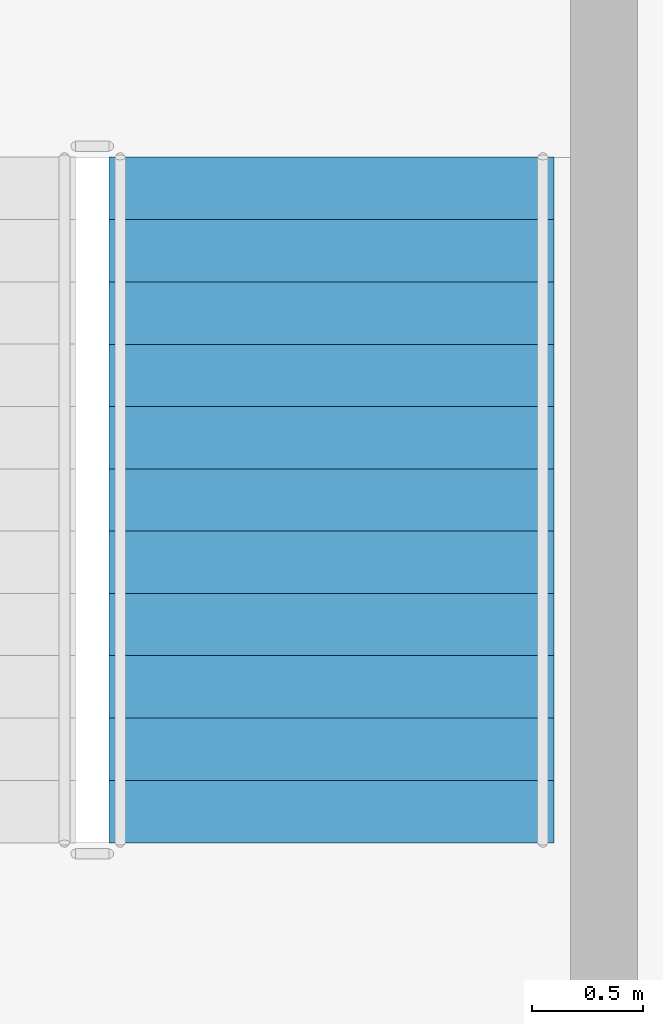
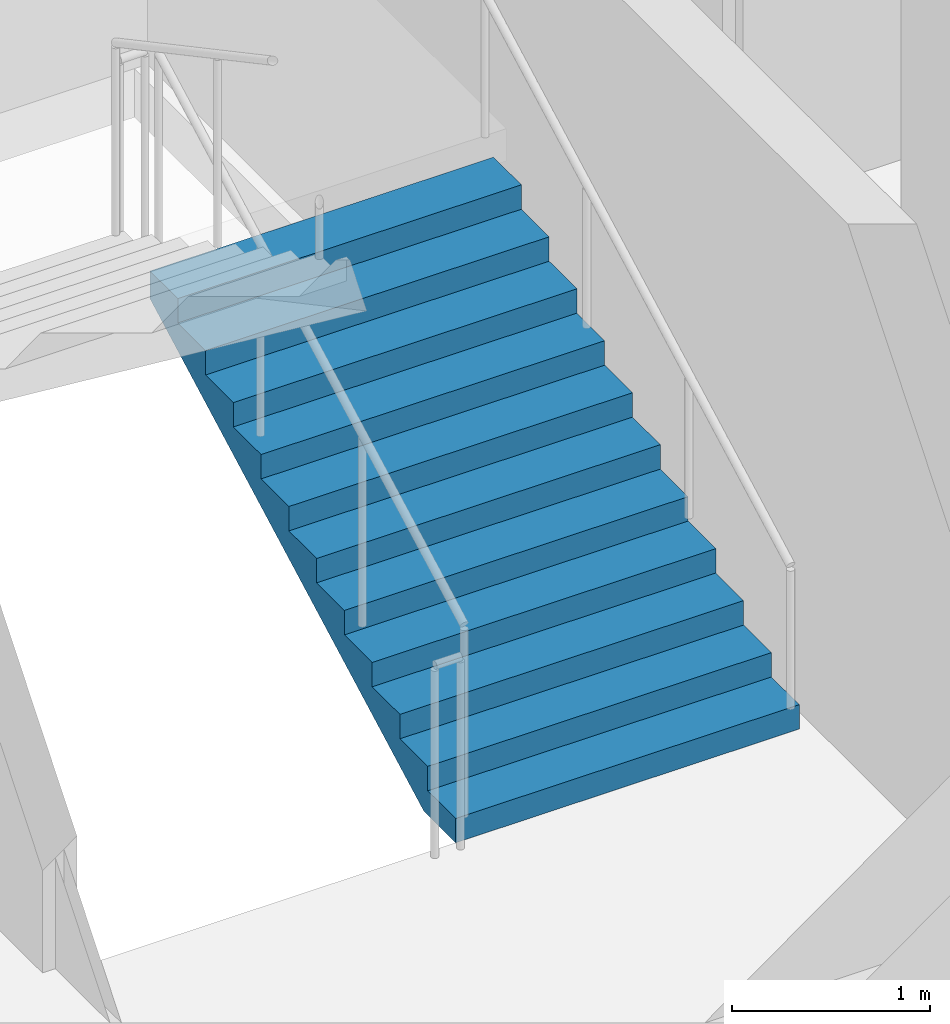
# One storey, part 11 of 14: 1 stair flight, 1 element without a shape of its own.
"""IFC4 building model written with IfcOpenShell, lengths in metres."""

from ifc_helpers import new_model, si_unit, direction, frame, origin, place, context, subcontext, project, spatial, polygons, material, type_object, element, aggregate, save


model = new_model("IFC4")

# Units and contexts
model_context = context("Model", 3, precision=1e-05, world=origin(), true_north=direction((0.0, 1.0)))
body_context = subcontext(model_context, "Body", "Model", "MODEL_VIEW")
ifc_project = project(units=[si_unit("LENGTHUNIT", "METRE"), si_unit("AREAUNIT", "SQUARE_METRE"), si_unit("VOLUMEUNIT", "CUBIC_METRE"), si_unit("PLANEANGLEUNIT", "RADIAN"), si_unit("MASSUNIT", "GRAM", prefix="KILO")], contexts=[model_context])

# Site, building, storey
site_placement = place(None, origin())
site = spatial("IfcSite", under=ifc_project, at=site_placement, CompositionType="ELEMENT")
building_placement = place(site_placement, origin())
building = spatial("IfcBuilding", under=site, at=building_placement, Name="Caravel Reach Hotel and Residences", CompositionType="ELEMENT")
storey_placement = place(building_placement, frame((0.0, 0.0, 56.39990234375)))
storey = spatial("IfcBuildingStorey", under=building, at=storey_placement, Name="L12", CompositionType="ELEMENT", Elevation=56.39990234375)

# Stair, stair flight
ifc_material_1 = material(Name="Concrete C40", Category="concrete")
stair_type = type_object("IfcStairType", Name="Core stair", PredefinedType="HALF_TURN_STAIR", material=ifc_material_1)
stair_placement = place(storey_placement, origin())
stair = element("IfcStair", 1, at=stair_placement, inside=storey, type_object=stair_type, Name="L12 Exit stair B", PredefinedType="HALF_TURN_STAIR")
ifc_material_2 = material(Name="Concrete C40", Category="concrete")
stair_flight_type = type_object("IfcStairFlightType", Name="Core stair flight", PredefinedType="STRAIGHT", material=ifc_material_2)
stair_flight_placement = place(storey_placement, frame((43.77490234375, 24.64990234375, 0.0), z_axis=(0.0, 0.0, 1.0), x_axis=(0.0, 1.0, 0.0)))
stair_flight = element("IfcStairFlight", 2, at=stair_flight_placement, type_object=stair_flight_type, Name="ST-B flight 1", NumberOfRisers=12, NumberOfTreads=11, PredefinedType="STRAIGHT", RiserHeight=0.15, TreadLength=0.28, context=body_context, shape_type="Tessellation", body=[
    polygons([(0.3174408016601862, 1.0, 0.0), (0.3174408016601862, 0.6666666666666667, 0.0), (0.3174408016601862, 0.33333333333333337, 0.0), (0.3174408016601862, 0.0, 0.0), (0.3174408016601862, -0.33333333333333326, 0.0), (0.3174408016601862, -0.6666666666666667, 0.0), (0.3174408016601862, -1.0, 0.0), (3.081, 1.0, 1.479942427682043), (3.081, 0.6666666666666667, 1.479942427682043), (3.081, 0.33333333333333337, 1.479942427682043), (3.081, 0.0, 1.479942427682043), (3.081, -0.33333333333333326, 1.479942427682043), (3.081, -0.6666666666666667, 1.479942427682043), (3.081, -1.0, 1.479942427682043), (3.081, 1.0, 1.65), (3.081, 0.6666666666666667, 1.65), (3.081, 0.33333333333333337, 1.65), (3.081, 0.0, 1.65), (3.081, -0.33333333333333326, 1.65), (3.081, -0.6666666666666667, 1.65), (3.081, -1.0, 1.65), (2.8000000000000003, 1.0, 1.65), (2.8000000000000003, 0.6666666666666667, 1.65), (2.8000000000000003, 0.33333333333333337, 1.65), (2.8000000000000003, 0.0, 1.65), (2.8000000000000003, -0.33333333333333326, 1.65), (2.8000000000000003, -0.6666666666666667, 1.65), (2.8000000000000003, -1.0, 1.65), (2.8000000000000003, 1.0, 1.5), (2.8000000000000003, 0.6666666666666667, 1.5), (2.8000000000000003, 0.33333333333333337, 1.5), (2.8000000000000003, 0.0, 1.5), (2.8000000000000003, -0.33333333333333326, 1.5), (2.8000000000000003, -0.6666666666666667, 1.5), (2.8000000000000003, -1.0, 1.5), (2.5200000000000005, 1.0, 1.5), (2.5200000000000005, 0.6666666666666667, 1.5), (2.5200000000000005, 0.33333333333333337, 1.5), (2.5200000000000005, 0.0, 1.5), (2.5200000000000005, -0.33333333333333326, 1.5), (2.5200000000000005, -0.6666666666666667, 1.5), (2.5200000000000005, -1.0, 1.5), (2.5200000000000005, 1.0, 1.3499999999999999), (2.5200000000000005, 0.6666666666666667, 1.3499999999999999), (2.5200000000000005, 0.33333333333333337, 1.3499999999999999), (2.5200000000000005, 0.0, 1.3499999999999999), (2.5200000000000005, -0.33333333333333326, 1.3499999999999999), (2.5200000000000005, -0.6666666666666667, 1.3499999999999999), (2.5200000000000005, -1.0, 1.3499999999999999), (2.24, 1.0, 1.3499999999999999), (2.24, 0.6666666666666667, 1.3499999999999999), (2.24, 0.33333333333333337, 1.3499999999999999), (2.24, 0.0, 1.3499999999999999), (2.24, -0.33333333333333326, 1.3499999999999999), (2.24, -0.6666666666666667, 1.3499999999999999), (2.24, -1.0, 1.3499999999999999), (2.24, 1.0, 1.2), (2.24, 0.6666666666666667, 1.2), (2.24, 0.33333333333333337, 1.2), (2.24, 0.0, 1.2), (2.24, -0.33333333333333326, 1.2), (2.24, -0.6666666666666667, 1.2), (2.24, -1.0, 1.2), (1.9600000000000002, 1.0, 1.2), (1.9600000000000002, 0.6666666666666667, 1.2), (1.9600000000000002, 0.33333333333333337, 1.2), (1.9600000000000002, 0.0, 1.2), (1.9600000000000002, -0.33333333333333326, 1.2), (1.9600000000000002, -0.6666666666666667, 1.2), (1.9600000000000002, -1.0, 1.2), (1.9600000000000002, 1.0, 1.05), (1.9600000000000002, 0.6666666666666667, 1.05), (1.9600000000000002, 0.33333333333333337, 1.05), (1.9600000000000002, 0.0, 1.05), (1.9600000000000002, -0.33333333333333326, 1.05), (1.9600000000000002, -0.6666666666666667, 1.05), (1.9600000000000002, -1.0, 1.05), (1.6800000000000002, 1.0, 1.05), (1.6800000000000002, 0.6666666666666667, 1.05), (1.6800000000000002, 0.33333333333333337, 1.05), (1.6800000000000002, 0.0, 1.05), (1.6800000000000002, -0.33333333333333326, 1.05), (1.6800000000000002, -0.6666666666666667, 1.05), (1.6800000000000002, -1.0, 1.05), (1.6800000000000002, 1.0, 0.8999999999999999), (1.6800000000000002, 0.6666666666666667, 0.8999999999999999), (1.6800000000000002, 0.33333333333333337, 0.8999999999999999), (1.6800000000000002, 0.0, 0.8999999999999999), (1.6800000000000002, -0.33333333333333326, 0.8999999999999999), (1.6800000000000002, -0.6666666666666667, 0.8999999999999999), (1.6800000000000002, -1.0, 0.8999999999999999), (1.4000000000000001, 1.0, 0.8999999999999999), (1.4000000000000001, 0.6666666666666667, 0.8999999999999999), (1.4000000000000001, 0.33333333333333337, 0.8999999999999999), (1.4000000000000001, 0.0, 0.8999999999999999), (1.4000000000000001, -0.33333333333333326, 0.8999999999999999), (1.4000000000000001, -0.6666666666666667, 0.8999999999999999), (1.4000000000000001, -1.0, 0.8999999999999999), (1.4000000000000001, 1.0, 0.75), (1.4000000000000001, 0.6666666666666667, 0.75), (1.4000000000000001, 0.33333333333333337, 0.75), (1.4000000000000001, 0.0, 0.75), (1.4000000000000001, -0.33333333333333326, 0.75), (1.4000000000000001, -0.6666666666666667, 0.75), (1.4000000000000001, -1.0, 0.75), (1.12, 1.0, 0.75), (1.12, 0.6666666666666667, 0.75), (1.12, 0.33333333333333337, 0.75), (1.12, 0.0, 0.75), (1.12, -0.33333333333333326, 0.75), (1.12, -0.6666666666666667, 0.75), (1.12, -1.0, 0.75), (1.12, 1.0, 0.6), (1.12, 0.6666666666666667, 0.6), (1.12, 0.33333333333333337, 0.6), (1.12, 0.0, 0.6), (1.12, -0.33333333333333326, 0.6), (1.12, -0.6666666666666667, 0.6), (1.12, -1.0, 0.6), (0.8400000000000001, 1.0, 0.6), (0.8400000000000001, 0.6666666666666667, 0.6), (0.8400000000000001, 0.33333333333333337, 0.6), (0.8400000000000001, 0.0, 0.6), (0.8400000000000001, -0.33333333333333326, 0.6), (0.8400000000000001, -0.6666666666666667, 0.6), (0.8400000000000001, -1.0, 0.6), (0.8400000000000001, 1.0, 0.44999999999999996), (0.8400000000000001, 0.6666666666666667, 0.44999999999999996), (0.8400000000000001, 0.33333333333333337, 0.44999999999999996), (0.8400000000000001, 0.0, 0.44999999999999996), (0.8400000000000001, -0.33333333333333326, 0.44999999999999996), (0.8400000000000001, -0.6666666666666667, 0.44999999999999996), (0.8400000000000001, -1.0, 0.44999999999999996), (0.56, 1.0, 0.44999999999999996), (0.56, 0.6666666666666667, 0.44999999999999996), (0.56, 0.33333333333333337, 0.44999999999999996), (0.56, 0.0, 0.44999999999999996), (0.56, -0.33333333333333326, 0.44999999999999996), (0.56, -0.6666666666666667, 0.44999999999999996), (0.56, -1.0, 0.44999999999999996), (0.56, 1.0, 0.3), (0.56, 0.6666666666666667, 0.3), (0.56, 0.33333333333333337, 0.3), (0.56, 0.0, 0.3), (0.56, -0.33333333333333326, 0.3), (0.56, -0.6666666666666667, 0.3), (0.56, -1.0, 0.3), (0.28, 1.0, 0.3), (0.28, 0.6666666666666667, 0.3), (0.28, 0.33333333333333337, 0.3), (0.28, 0.0, 0.3), (0.28, -0.33333333333333326, 0.3), (0.28, -0.6666666666666667, 0.3), (0.28, -1.0, 0.3), (0.28, 1.0, 0.15), (0.28, 0.6666666666666667, 0.15), (0.28, 0.33333333333333337, 0.15), (0.28, 0.0, 0.15), (0.28, -0.33333333333333326, 0.15), (0.28, -0.6666666666666667, 0.15), (0.28, -1.0, 0.15), (-0.001, 1.0, 0.15), (-0.001, 0.6666666666666667, 0.15), (-0.001, 0.33333333333333337, 0.15), (-0.001, 0.0, 0.15), (-0.001, -0.33333333333333326, 0.15), (-0.001, -0.6666666666666667, 0.15), (-0.001, -1.0, 0.15), (-0.001, 1.0, 0.0), (-0.001, 0.6666666666666667, 0.0), (-0.001, 0.33333333333333337, 0.0), (-0.001, 0.0, 0.0), (-0.001, -0.33333333333333326, 0.0), (-0.001, -0.6666666666666667, 0.0), (-0.001, -1.0, 0.0)], [[[169, 162, 155, 148, 141, 134, 127, 120, 113, 106, 99, 92, 85, 78, 71, 64, 57, 50, 43, 36, 29, 22, 15, 8, 1]], [[7, 14, 21, 28, 35, 42, 49, 56, 63, 70, 77, 84, 91, 98, 105, 112, 119, 126, 133, 140, 147, 154, 161, 168, 175]], [[1, 8, 9, 2]], [[2, 9, 10, 3]], [[3, 10, 11, 4]], [[4, 11, 12, 5]], [[5, 12, 13, 6]], [[6, 13, 14, 7]], [[8, 15, 16, 9]], [[9, 16, 17, 10]], [[10, 17, 18, 11]], [[11, 18, 19, 12]], [[12, 19, 20, 13]], [[13, 20, 21, 14]], [[15, 22, 23, 16]], [[16, 23, 24, 17]], [[17, 24, 25, 18]], [[18, 25, 26, 19]], [[19, 26, 27, 20]], [[20, 27, 28, 21]], [[22, 29, 30, 23]], [[23, 30, 31, 24]], [[24, 31, 32, 25]], [[25, 32, 33, 26]], [[26, 33, 34, 27]], [[27, 34, 35, 28]], [[29, 36, 37, 30]], [[30, 37, 38, 31]], [[31, 38, 39, 32]], [[32, 39, 40, 33]], [[33, 40, 41, 34]], [[34, 41, 42, 35]], [[36, 43, 44, 37]], [[37, 44, 45, 38]], [[38, 45, 46, 39]], [[39, 46, 47, 40]], [[40, 47, 48, 41]], [[41, 48, 49, 42]], [[43, 50, 51, 44]], [[44, 51, 52, 45]], [[45, 52, 53, 46]], [[46, 53, 54, 47]], [[47, 54, 55, 48]], [[48, 55, 56, 49]], [[50, 57, 58, 51]], [[51, 58, 59, 52]], [[52, 59, 60, 53]], [[53, 60, 61, 54]], [[54, 61, 62, 55]], [[55, 62, 63, 56]], [[57, 64, 65, 58]], [[58, 65, 66, 59]], [[59, 66, 67, 60]], [[60, 67, 68, 61]], [[61, 68, 69, 62]], [[62, 69, 70, 63]], [[64, 71, 72, 65]], [[65, 72, 73, 66]], [[66, 73, 74, 67]], [[67, 74, 75, 68]], [[68, 75, 76, 69]], [[69, 76, 77, 70]], [[71, 78, 79, 72]], [[72, 79, 80, 73]], [[73, 80, 81, 74]], [[74, 81, 82, 75]], [[75, 82, 83, 76]], [[76, 83, 84, 77]], [[78, 85, 86, 79]], [[79, 86, 87, 80]], [[80, 87, 88, 81]], [[81, 88, 89, 82]], [[82, 89, 90, 83]], [[83, 90, 91, 84]], [[85, 92, 93, 86]], [[86, 93, 94, 87]], [[87, 94, 95, 88]], [[88, 95, 96, 89]], [[89, 96, 97, 90]], [[90, 97, 98, 91]], [[92, 99, 100, 93]], [[93, 100, 101, 94]], [[94, 101, 102, 95]], [[95, 102, 103, 96]], [[96, 103, 104, 97]], [[97, 104, 105, 98]], [[99, 106, 107, 100]], [[100, 107, 108, 101]], [[101, 108, 109, 102]], [[102, 109, 110, 103]], [[103, 110, 111, 104]], [[104, 111, 112, 105]], [[106, 113, 114, 107]], [[107, 114, 115, 108]], [[108, 115, 116, 109]], [[109, 116, 117, 110]], [[110, 117, 118, 111]], [[111, 118, 119, 112]], [[113, 120, 121, 114]], [[114, 121, 122, 115]], [[115, 122, 123, 116]], [[116, 123, 124, 117]], [[117, 124, 125, 118]], [[118, 125, 126, 119]], [[120, 127, 128, 121]], [[121, 128, 129, 122]], [[122, 129, 130, 123]], [[123, 130, 131, 124]], [[124, 131, 132, 125]], [[125, 132, 133, 126]], [[127, 134, 135, 128]], [[128, 135, 136, 129]], [[129, 136, 137, 130]], [[130, 137, 138, 131]], [[131, 138, 139, 132]], [[132, 139, 140, 133]], [[134, 141, 142, 135]], [[135, 142, 143, 136]], [[136, 143, 144, 137]], [[137, 144, 145, 138]], [[138, 145, 146, 139]], [[139, 146, 147, 140]], [[141, 148, 149, 142]], [[142, 149, 150, 143]], [[143, 150, 151, 144]], [[144, 151, 152, 145]], [[145, 152, 153, 146]], [[146, 153, 154, 147]], [[148, 155, 156, 149]], [[149, 156, 157, 150]], [[150, 157, 158, 151]], [[151, 158, 159, 152]], [[152, 159, 160, 153]], [[153, 160, 161, 154]], [[155, 162, 163, 156]], [[156, 163, 164, 157]], [[157, 164, 165, 158]], [[158, 165, 166, 159]], [[159, 166, 167, 160]], [[160, 167, 168, 161]], [[162, 169, 170, 163]], [[163, 170, 171, 164]], [[164, 171, 172, 165]], [[165, 172, 173, 166]], [[166, 173, 174, 167]], [[167, 174, 175, 168]], [[169, 1, 2, 170]], [[170, 2, 3, 171]], [[171, 3, 4, 172]], [[172, 4, 5, 173]], [[173, 5, 6, 174]], [[174, 6, 7, 175]]], closed=True),
])
aggregate(stair, [stair_flight])

save(model, "model.ifc")
